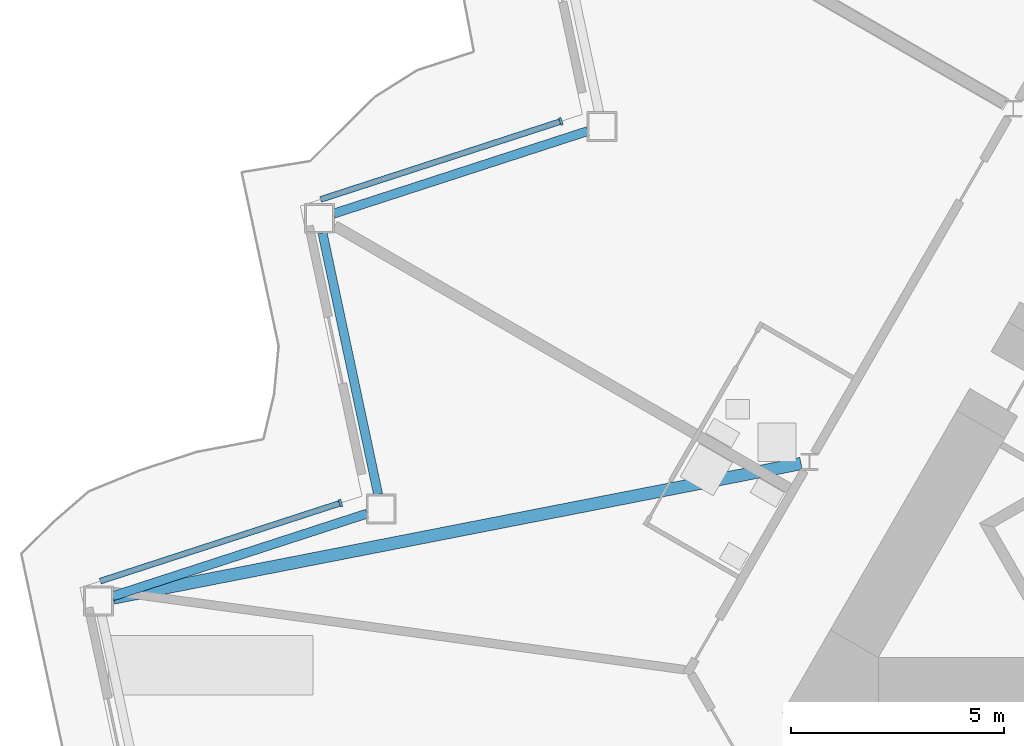
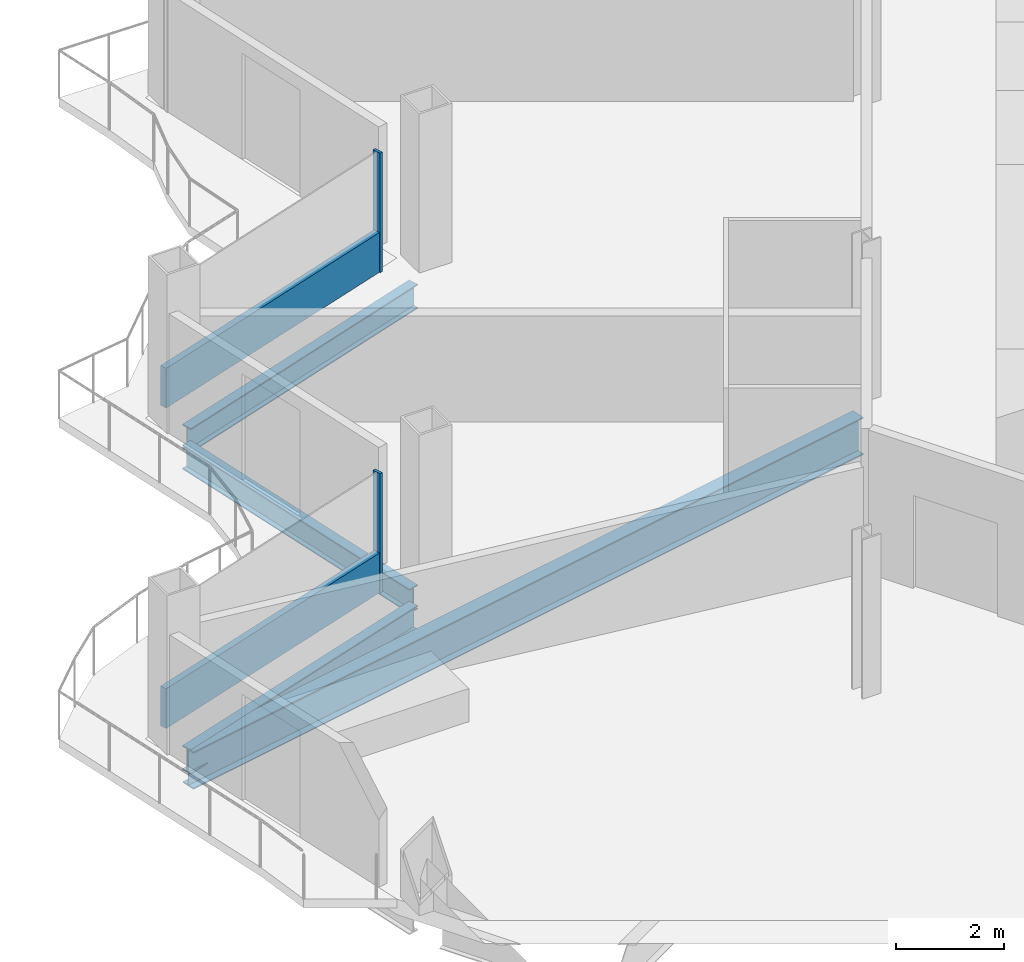
# One storey, part 5 of 23: 4 beams, 4 members, 2 elements without a shape of their own.
"""IFC4 building model written with IfcOpenShell, lengths in metres."""

import ifcopenshell
import ifcopenshell.guid

model = None  # the IFC model being written
_history = None  # IfcOwnerHistory: only IFC2X3 demands one
_inside = {}  # id of a spatial element -> (the spatial element, [elements in it])
_under = {}  # id of a project, library or spatial element -> (it, [spatial elements below it])
_declared = {}  # id of a project -> (the project, [libraries it declares])
_typed = {}  # id of a type object -> (the type object, [elements of that type])
_made_of = {}  # id of a material, layer set ... -> (it, [elements and type objects made of it])


def new_model(schema):
    """Start an empty IFC model of exactly this schema.

    Asked for "IFC4X3", IfcOpenShell would pick the latest addendum, in which some entities
    have other attributes; the version numbers below select the first issue.
    IFC2X3 requires an IfcOwnerHistory on every rooted entity: one is made here for all.
    """
    global model, _history
    if schema == "IFC4X3":
        model = ifcopenshell.file(schema_version=(4, 3, 0, 0))
    else:
        model = ifcopenshell.file(schema=schema)
    _inside.clear()
    _under.clear()
    _declared.clear()
    _typed.clear()
    _made_of.clear()
    _history = None
    if model.schema == "IFC2X3":
        org = make("IfcOrganization", Name="unknown")
        user = make(
            "IfcPersonAndOrganization",
            ThePerson=make("IfcPerson", FamilyName="unknown"),
            TheOrganization=org,
        )
        app = make(
            "IfcApplication",
            ApplicationDeveloper=org,
            Version="unknown",
            ApplicationFullName="unknown",
            ApplicationIdentifier="unknown",
        )
        _history = make(
            "IfcOwnerHistory",
            OwningUser=user,
            OwningApplication=app,
            ChangeAction="ADDED",
            CreationDate=0,
        )
    return model


def make(cls, **values):
    """One entity of the class cls with the attributes given. An attribute that is None is left unset."""
    return model.create_entity(
        cls, **{name: value for name, value in values.items() if value is not None}
    )


def rooted(cls, **values):
    """An entity with a GlobalId (a new one), such as an element, a storey or a relation."""
    return make(cls, GlobalId=ifcopenshell.guid.new(), OwnerHistory=_history, **values)


def si_unit(unit_type, name, prefix=None):
    """IfcSIUnit, for example si_unit("LENGTHUNIT", "METRE", prefix="MILLI")."""
    return make("IfcSIUnit", UnitType=unit_type, Prefix=prefix, Name=name)


def assignment(units):
    """IfcUnitAssignment: the units of a project."""
    return None if units is None else make("IfcUnitAssignment", Units=units)


def point(xyz):
    """IfcCartesianPoint."""
    return None if xyz is None else make("IfcCartesianPoint", Coordinates=xyz)


def direction(xyz):
    """IfcDirection."""
    return None if xyz is None else make("IfcDirection", DirectionRatios=xyz)


def frame(location, z_axis=None, x_axis=None):
    """IfcAxis2Placement3D, a coordinate frame: its origin and axes. An axis left out is left unset."""
    return make(
        "IfcAxis2Placement3D",
        Location=point(location),
        Axis=direction(z_axis),
        RefDirection=direction(x_axis),
    )


def frame_2d(location, x_axis=None):
    """IfcAxis2Placement2D, a coordinate frame in the plane: its origin and x axis."""
    return make(
        "IfcAxis2Placement2D", Location=point(location), RefDirection=direction(x_axis)
    )


def origin():
    """The frame at (0, 0, 0) with its axes left unset."""
    return frame((0.0, 0.0, 0.0))


def origin_2d():
    """The frame at (0, 0) in the plane with its x axis left unset."""
    return frame_2d((0.0, 0.0))


def place(relative_to, where):
    """IfcLocalPlacement: puts the frame where relative to a parent placement (None: the world)."""
    return make(
        "IfcLocalPlacement", PlacementRelTo=relative_to, RelativePlacement=where
    )


def context(
    kind, dimensions, precision=None, world=None, true_north=None, identifier=None
):
    """IfcGeometricRepresentationContext, for example the 3D "Model" context."""
    return make(
        "IfcGeometricRepresentationContext",
        ContextIdentifier=identifier,
        ContextType=kind,
        CoordinateSpaceDimension=dimensions,
        Precision=precision,
        WorldCoordinateSystem=world,
        TrueNorth=true_north,
    )


def subcontext(parent, identifier, kind, view, scale=None):
    """IfcGeometricRepresentationSubContext, for example "Body" below "Model"."""
    return make(
        "IfcGeometricRepresentationSubContext",
        ContextIdentifier=identifier,
        ContextType=kind,
        ParentContext=parent,
        TargetScale=scale,
        TargetView=view,
    )


def project(units=None, contexts=None):
    """IfcProject with its units and contexts."""
    return rooted(
        "IfcProject",
        Name="project",
        RepresentationContexts=contexts,
        UnitsInContext=assignment(units),
    )


def spatial(cls, under=None, at=None, **own):
    """A site, building, storey or space (cls), placed at a placement, below another one or the project."""
    s = rooted(cls, ObjectPlacement=at, **own)
    if under is not None:
        _under.setdefault(under.id(), (under, []))[1].append(s)
    return s


def profile(cls, at=None, kind="AREA", **sizes):
    """A parametric profile (cls). Its sizes go by their IFC names, for example OverallWidth=200.0."""
    return make(cls, ProfileType=kind, Position=at, **sizes)


def rectangle(**sizes):
    """IfcRectangleProfileDef."""
    return profile("IfcRectangleProfileDef", **sizes)


def i_section(**sizes):
    """IfcIShapeProfileDef."""
    return profile("IfcIShapeProfileDef", **sizes)


def extrude(swept, where, along, depth):
    """IfcExtrudedAreaSolid: the profile swept, set in the frame where, extruded along a direction by depth."""
    return make(
        "IfcExtrudedAreaSolid",
        SweptArea=swept,
        Position=where,
        ExtrudedDirection=direction(along),
        Depth=depth,
    )


def shape(context_of_items, identifier, shape_type, items):
    """IfcShapeRepresentation: the items that make up one representation, for example the "Body"."""
    return make(
        "IfcShapeRepresentation",
        ContextOfItems=context_of_items,
        RepresentationIdentifier=identifier,
        RepresentationType=shape_type,
        Items=items,
    )


def material(Name=None, Category=None):
    """IfcMaterial."""
    return make("IfcMaterial", Name=Name, Category=Category)


def layer(
    of_material, thickness, ventilated=None, Name=None, Category=None, Priority=None
):
    """IfcMaterialLayer: one layer of a wall or slab, of a material (None: an air gap)."""
    return make(
        "IfcMaterialLayer",
        Material=of_material,
        LayerThickness=thickness,
        IsVentilated=ventilated,
        Name=Name,
        Category=Category,
        Priority=Priority,
    )


def layer_set(layers, Name=None):
    """IfcMaterialLayerSet."""
    return make("IfcMaterialLayerSet", MaterialLayers=layers, LayerSetName=Name)


def material_profile(
    of_material, cross_section, Name=None, Category=None, Priority=None
):
    """IfcMaterialProfile: a cross section and its material."""
    return make(
        "IfcMaterialProfile",
        Name=Name,
        Material=of_material,
        Profile=cross_section,
        Priority=Priority,
        Category=Category,
    )


def profile_set(profiles, Name=None, composite=None):
    """IfcMaterialProfileSet."""
    return make(
        "IfcMaterialProfileSet",
        Name=Name,
        MaterialProfiles=profiles,
        CompositeProfile=composite,
    )


def made_of(thing, what):
    """Note that an element or type object is made of a material, layer set ...; save() writes the relation."""
    if what is not None:
        _made_of.setdefault(what.id(), (what, []))[1].append(thing)
    return thing


def type_object(cls, material=None, **own):
    """A type object (cls), such as IfcWallType, which elements share."""
    return made_of(rooted(cls, **own), material)


def element(
    cls,
    number,
    at=None,
    inside=None,
    cuts=None,
    type_object=None,
    material=None,
    context=None,
    identifier="Body",
    shape_type=None,
    held_by="IfcProductDefinitionShape",
    body=None,
    shapes=None,
    **own,
):
    """One element of the class cls, such as IfcWall. Its Tag is "e" and its number.

    at: its placement. inside: the storey or other place that contains it. cuts: it is an
    opening in that element (IfcRelVoidsElement). A single representation is given by context,
    identifier, shape_type and body (its items); several are given by shapes. held_by: the class
    of the entity that holds the representations. save() writes the other relations.
    """
    e = rooted(cls, Tag="e%d" % number, ObjectPlacement=at, **own)
    if body is not None:
        shapes = [shape(context, identifier, shape_type, body)]
    if shapes is not None:
        e.Representation = make(held_by, Representations=shapes)
    if inside is not None:
        _inside.setdefault(inside.id(), (inside, []))[1].append(e)
    if cuts is not None:
        rooted(
            "IfcRelVoidsElement", RelatingBuildingElement=cuts, RelatedOpeningElement=e
        )
    if type_object is not None:
        _typed.setdefault(type_object.id(), (type_object, []))[1].append(e)
    return made_of(e, material)


def aggregate(whole, parts):
    """IfcRelAggregates: a whole, such as a stair, and the parts it consists of."""
    return rooted("IfcRelAggregates", RelatingObject=whole, RelatedObjects=parts)


def save(model, path):
    """Write the relations noted so far, then the file.

    IfcRelAggregates (storeys below a building ...), IfcRelContainedInSpatialStructure (elements
    in a storey), IfcRelDefinesByType, IfcRelAssociatesMaterial and IfcRelDeclares: one each for
    every whole, place, type object, material and project.
    """
    for whole, parts in _under.values():
        aggregate(whole, parts)
    for where, things in _inside.values():
        rooted(
            "IfcRelContainedInSpatialStructure",
            RelatedElements=things,
            RelatingStructure=where,
        )
    for kind, things in _typed.values():
        rooted("IfcRelDefinesByType", RelatedObjects=things, RelatingType=kind)
    for what, things in _made_of.values():
        rooted("IfcRelAssociatesMaterial", RelatedObjects=things, RelatingMaterial=what)
    for by, libraries in _declared.values():
        rooted("IfcRelDeclares", RelatingContext=by, RelatedDefinitions=libraries)
    model.write(path)


model = new_model("IFC4")

# Units and contexts
model_context = context("Model", 3, precision=1e-05, world=origin(), true_north=direction((0.0, 1.0)))
body_context = subcontext(model_context, "Body", "Model", "MODEL_VIEW")
ifc_project = project(units=[si_unit("LENGTHUNIT", "METRE"), si_unit("AREAUNIT", "SQUARE_METRE"), si_unit("VOLUMEUNIT", "CUBIC_METRE"), si_unit("PLANEANGLEUNIT", "RADIAN"), si_unit("MASSUNIT", "GRAM", prefix="KILO")], contexts=[model_context])

# Site, building, storey
site_placement = place(None, origin())
site = spatial("IfcSite", under=ifc_project, at=site_placement, CompositionType="ELEMENT")
building_placement = place(site_placement, origin())
building = spatial("IfcBuilding", under=site, at=building_placement, Name="Cormorant Prow Tower", CompositionType="ELEMENT")
storey_placement = place(building_placement, frame((0.0, 0.0, 249.0)))
storey = spatial("IfcBuildingStorey", under=building, at=storey_placement, Name="L55", CompositionType="ELEMENT", Elevation=249.0)

# Curtain wall, member
ifc_material_1 = material(Name="Aluminium 6063-T6", Category="aluminium")
ifc_layer = layer(ifc_material_1, 0.179931640625)
ifc_layer_set = layer_set([ifc_layer], Name="Aluminium 6063-T6")
curtain_wall_type = type_object("IfcCurtainWallType", Name="Hotel unitised curtain wall 180", PredefinedType="NOTDEFINED", material=ifc_layer_set)
curtain_wall_1_placement = place(storey_placement, origin())
curtain_wall_1 = element("IfcCurtainWall", 1, at=curtain_wall_1_placement, inside=storey, type_object=curtain_wall_type, Name="Hotel curtain wall WNW06", PredefinedType="NOTDEFINED")
ifc_material_2 = material(Name="Aluminium 6063-T6", Category="aluminium")
ifc_material_profile_1 = material_profile(ifc_material_2, rectangle(XDim=0.179931640625, YDim=0.06005859375, at=origin_2d()), Name="Hotel mullion 60x180")
ifc_profile_set_1 = profile_set([ifc_material_profile_1], Name="Aluminium 6063-T6")
member_type_1 = type_object("IfcMemberType", Name="Hotel mullion 60x180", PredefinedType="MULLION", material=ifc_profile_set_1)
member_1_placement = place(storey_placement, frame((-20.203857421875, 5.232666015625, 0.0), z_axis=(0.0, 0.0, 1.0), x_axis=(0.309017031391, -0.951056504268, 0.0)))
member_1 = element("IfcMember", 2, at=member_1_placement, type_object=member_type_1, Name="Hotel mullion WNW06", PredefinedType="MULLION", context=body_context, shape_type="SweptSolid", body=[
    extrude(rectangle(XDim=0.179931640625, YDim=0.06005859375, at=origin_2d()), origin(), (0.0, 0.0, 1.0), 2.700927734375),
])

curtain_wall_2_placement = place(storey_placement, origin())
curtain_wall_2 = element("IfcCurtainWall", 3, at=curtain_wall_2_placement, inside=storey, type_object=curtain_wall_type, Name="Hotel curtain wall WNW08", PredefinedType="NOTDEFINED")
member_2_placement = place(storey_placement, frame((-25.379638671875, -3.73193359375, 0.0), z_axis=(0.0, 0.0, 1.0), x_axis=(0.30901690152, -0.951056546466, 0.0)))
member_2 = element("IfcMember", 4, at=member_2_placement, type_object=member_type_1, Name="Hotel mullion WNW08", PredefinedType="MULLION", context=body_context, shape_type="SweptSolid", body=[
    extrude(rectangle(XDim=0.179931640625, YDim=0.06005859375, at=origin_2d()), origin(), (0.0, 0.0, 1.0), 2.700927734375),
])

# Member
ifc_material_3 = material(Name="Terracotta", Category="masonry")
ifc_material_profile_2 = material_profile(ifc_material_3, rectangle(XDim=0.139892578125, YDim=0.89990234375, at=origin_2d()), Name="Hotel terracotta spandrel rail 140x900")
ifc_profile_set_2 = profile_set([ifc_material_profile_2], Name="Terracotta")
member_type_2 = type_object("IfcMemberType", Name="Hotel terracotta spandrel rail 140x900", PredefinedType="USERDEFINED", material=ifc_profile_set_2)
member_3_placement = place(storey_placement, frame((-20.232421875, 5.223388671875, 0.449951171875), z_axis=(-0.9510589899, -0.309009381297, 0.0), x_axis=(0.309009381297, -0.9510589899, 0.0)))
member_3 = element("IfcMember", 5, at=member_3_placement, type_object=member_type_2, Name="Hotel spandrel rail WNW06", ObjectType="TRANSOM", PredefinedType="USERDEFINED", context=body_context, shape_type="SweptSolid", body=[
    extrude(rectangle(XDim=0.139892578125, YDim=0.89990234375, at=origin_2d()), origin(), (0.0, 0.0, 1.0), 5.902587890625),
])

aggregate(curtain_wall_1, [member_1, member_3])

member_4_placement = place(storey_placement, frame((-25.408203125, -3.7412109375, 0.449951171875), z_axis=(-0.9510589899, -0.309009381297, 0.0), x_axis=(0.309009381297, -0.9510589899, 0.0)))
member_4 = element("IfcMember", 6, at=member_4_placement, type_object=member_type_2, Name="Hotel spandrel rail WNW08", ObjectType="TRANSOM", PredefinedType="USERDEFINED", context=body_context, shape_type="SweptSolid", body=[
    extrude(rectangle(XDim=0.139892578125, YDim=0.89990234375, at=origin_2d()), origin(), (0.0, 0.0, 1.0), 5.902587890625),
])

aggregate(curtain_wall_2, [member_2, member_4])

# Beams
ifc_material_4 = material(Name="Structural steel ASTM A992 Gr 50", Category="steel")
ifc_material_profile_3 = material_profile(ifc_material_4, i_section(OverallWidth=0.29296875, OverallDepth=0.845703125, WebThickness=0.015380859375, FlangeThickness=0.0244140625, at=origin_2d()), Name="W33x141")
ifc_profile_set_3 = profile_set([ifc_material_profile_3], Name="Structural steel ASTM A992 Gr 50")
beam_type_1 = type_object("IfcBeamType", Name="Radial floor beam W33x141", PredefinedType="BEAM", material=ifc_profile_set_3)
beam_placement = place(storey_placement, frame((-14.5634765625, -2.80322265625, -0.77294921875), z_axis=(-0.981419133752, -0.191876220269, 0.0), x_axis=(0.191876220269, -0.981419133752, 0.0)))
element("IfcBeam", 7, at=beam_placement, inside=storey, type_object=beam_type_1, Name="Radial floor beam FB2 4 L55", PredefinedType="BEAM", context=body_context, shape_type="SweptSolid", body=[
    extrude(i_section(OverallWidth=0.29296875, OverallDepth=0.845703125, WebThickness=0.015380859375, FlangeThickness=0.0244140625, at=origin_2d()), origin(), (0.0, 0.0, 1.0), 16.462158203125),
])
ifc_material_5 = material(Name="Structural steel ASTM A992 Gr 50", Category="steel")
ifc_material_profile_4 = material_profile(ifc_material_5, i_section(OverallWidth=0.2138671875, OverallDepth=0.549072265625, WebThickness=0.0146484375, FlangeThickness=0.023681640625, at=origin_2d()), Name="W21x93")
ifc_profile_set_4 = profile_set([ifc_material_profile_4], Name="Structural steel ASTM A992 Gr 50")
beam_type_2 = type_object("IfcBeamType", Name="Spandrel beam W21x93", PredefinedType="SPANDREL", material=ifc_profile_set_4)
for number, where, z_axis, x_axis, name in (
    (8, (-19.568115234375, 5.00634765625, -0.62451171875), (-0.951061771288, -0.309000820701, 0.0), (0.309000820701, -0.951061771288, 0.0), "Spandrel beam SB2 WNW06-WNW07 L55"),
    (9, (-25.80224609375, 2.61474609375, -0.62451171875), (0.207941499013, -0.978141264331, 0.0), (0.978141264331, 0.207941499013, 0.0), "Spandrel beam SB2 WNW07-WNW08 L55"),
    (10, (-24.75634765625, -3.97998046875, -0.62451171875), (-0.951061771288, -0.309000820701, 0.0), (0.309000820701, -0.951061771288, 0.0), "Spandrel beam SB2 WNW08-WNW09 L55"),
):
    element("IfcBeam", number, at=place(storey_placement, frame(where, z_axis=z_axis, x_axis=x_axis)), inside=storey, type_object=beam_type_2, Name=name, PredefinedType="SPANDREL", context=body_context, shape_type="SweptSolid", body=[
        extrude(i_section(OverallWidth=0.2138671875, OverallDepth=0.549072265625, WebThickness=0.0146484375, FlangeThickness=0.023681640625, at=origin_2d()), origin(), (0.0, 0.0, 1.0), 6.28125),
    ])

save(model, "model.ifc")
